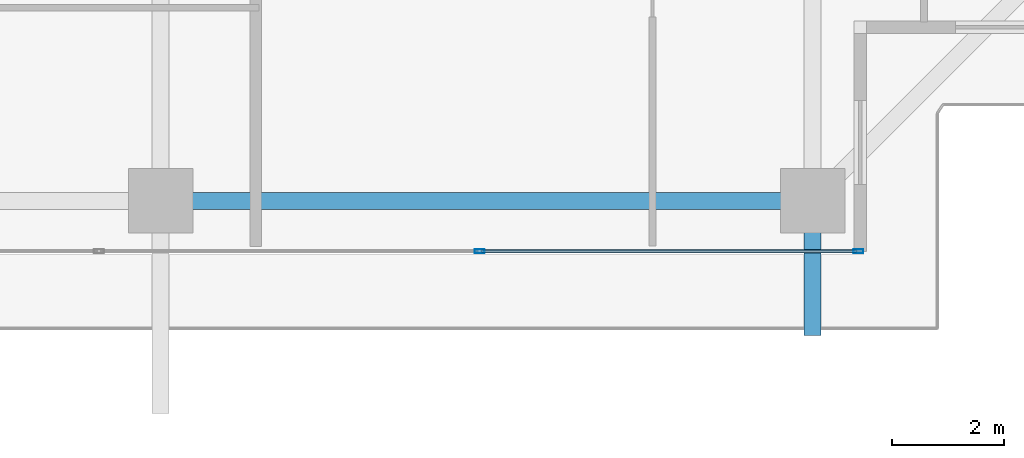
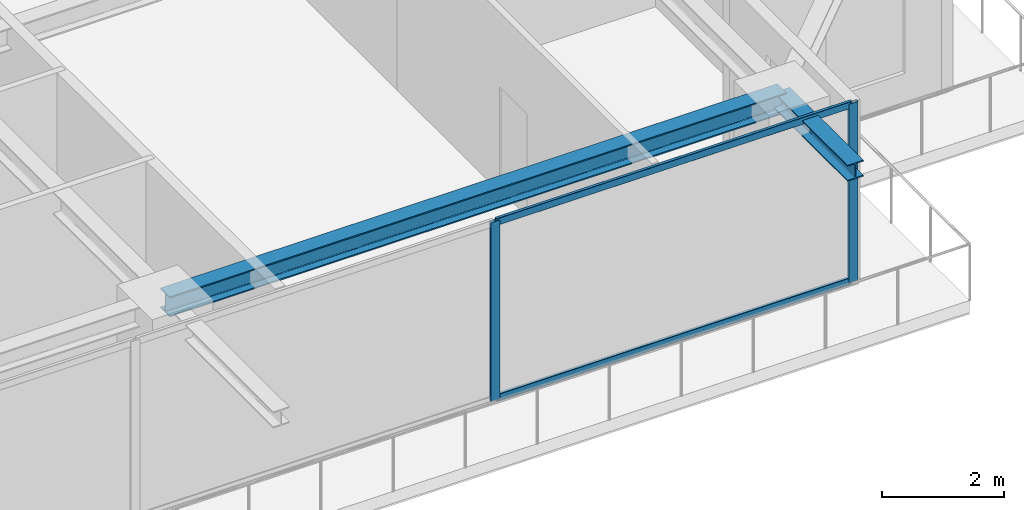
# One storey, part 12 of 38: 4 members, 2 beams, 1 element without a shape of its own.
"""IFC4 building model written with IfcOpenShell, lengths in metres."""

from ifc_helpers import new_model, si_unit, direction, frame, origin, origin_2d, place, context, subcontext, project, spatial, hollow_rectangle, i_section, extrude, source, transform, mapped, material, layer, layer_set, material_profile, profile_set, type_object, element, aggregate, save


model = new_model("IFC4")

# Units and contexts
model_context = context("Model", 3, precision=1e-05, world=origin(), true_north=direction((0.0, 1.0)))
body_context = subcontext(model_context, "Body", "Model", "MODEL_VIEW")
ifc_project = project(units=[si_unit("LENGTHUNIT", "METRE"), si_unit("AREAUNIT", "SQUARE_METRE"), si_unit("VOLUMEUNIT", "CUBIC_METRE"), si_unit("PLANEANGLEUNIT", "RADIAN"), si_unit("MASSUNIT", "GRAM", prefix="KILO")], contexts=[model_context])

# Site, building, storey
site_placement = place(None, origin())
site = spatial("IfcSite", under=ifc_project, at=site_placement, CompositionType="ELEMENT")
building_placement = place(site_placement, origin())
building = spatial("IfcBuilding", under=site, at=building_placement, Name="Serunith Strait Residences", CompositionType="ELEMENT")
storey_placement = place(building_placement, frame((0.0, 0.0, 268.199951171875)))
storey = spatial("IfcBuildingStorey", under=building, at=storey_placement, Name="L67", CompositionType="ELEMENT", Elevation=268.199951171875)

# Beams
ifc_material_1 = material(Name="Steel S355J2", Category="steel")
ifc_material_profile_1 = material_profile(ifc_material_1, i_section(OverallWidth=0.300048828125, OverallDepth=0.39990234375, WebThickness=0.013427734375, FlangeThickness=0.02392578125, FilletRadius=0.027099609375, at=origin_2d()), Name="HEB 400")
ifc_profile_set_1 = profile_set([ifc_material_profile_1], Name="Steel S355J2")
beam_type_1 = type_object("IfcBeamType", Name="BM-HEB400", PredefinedType="BEAM", material=ifc_profile_set_1)
shared_shape_1 = source(origin(), body_context, "Body", "SweptSolid", [
    extrude(i_section(OverallWidth=0.300048828125, OverallDepth=0.39990234375, WebThickness=0.013427734375, FlangeThickness=0.02392578125, FilletRadius=0.027099609375, at=origin_2d()), origin(), (0.0, 0.0, 1.0), 11.650146484375),
])
beam_1_placement = place(storey_placement, frame((36.89990234375, 2.10009765625, 3.386962890625), z_axis=(1.0, 0.0, 0.0), x_axis=(0.0, 1.0, 0.0)))
element("IfcBeam", 1, at=beam_1_placement, inside=storey, type_object=beam_type_1, Name="L67 Perimeter Ring Beam 03", PredefinedType="BEAM", context=body_context, shape_type="MappedRepresentation", body=[
    mapped(shared_shape_1, transform((0.0, 0.0, 0.0), scale=1.0)),
])
ifc_material_profile_2 = material_profile(ifc_material_1, i_section(OverallWidth=0.300048828125, OverallDepth=0.320068359375, WebThickness=0.011474609375, FlangeThickness=0.0205078125, FilletRadius=0.027099609375, at=origin_2d()), Name="HEB 320")
ifc_profile_set_2 = profile_set([ifc_material_profile_2], Name="Steel S355J2")
beam_type_2 = type_object("IfcBeamType", Name="BM-HEB320", PredefinedType="BEAM", material=ifc_profile_set_2)
shared_shape_2 = source(origin(), body_context, "Body", "SweptSolid", [
    extrude(i_section(OverallWidth=0.300048828125, OverallDepth=0.320068359375, WebThickness=0.011474609375, FlangeThickness=0.0205078125, FilletRadius=0.027099609375, at=origin_2d()), origin(), (0.0, 0.0, 1.0), 2.407470703125),
])
beam_2_placement = place(storey_placement, frame((48.550048828125, 2.10009765625, 3.39697265625), z_axis=(0.0, -1.0, 0.0), x_axis=(1.0, 0.0, 0.0)))
element("IfcBeam", 2, at=beam_2_placement, inside=storey, type_object=beam_type_2, Name="L68 Cantilevered Balcony Rib TC-S4", PredefinedType="BEAM", context=body_context, shape_type="MappedRepresentation", body=[
    mapped(shared_shape_2, transform((0.0, 0.0, 0.0), scale=1.0)),
])

# Curtain wall, members
ifc_material_2 = material(Name="Pale-Champagne Anodised Aluminium", Category="aluminium")
ifc_layer = layer(ifc_material_2, 0.199951171875, Name="Pale-Champagne Anodised Aluminium")
ifc_layer_set = layer_set([ifc_layer], Name="Pale-Champagne Anodised Aluminium")
curtain_wall_type = type_object("IfcCurtainWallType", Name="CW-SYS4", PredefinedType="NOTDEFINED", material=ifc_layer_set)
curtain_wall_placement = place(storey_placement, origin())
curtain_wall = element("IfcCurtainWall", 3, at=curtain_wall_placement, inside=storey, type_object=curtain_wall_type, Name="L67 S Unitised Fritted Curtain Wall", PredefinedType="NOTDEFINED")
ifc_material_profile_3 = material_profile(ifc_material_2, hollow_rectangle(XDim=0.06494140625, YDim=0.179931640625, WallThickness=0.00341796875, InnerFilletRadius=0.00537109375, OuterFilletRadius=0.0087890625, at=origin_2d()), Name="ALU 180x65x3.5")
ifc_profile_set_3 = profile_set([ifc_material_profile_3], Name="Pale-Champagne Anodised Aluminium")
member_type_1 = type_object("IfcMemberType", Name="CW-SYS4-MULL", PredefinedType="MULLION", material=ifc_profile_set_3)
shared_shape_3 = source(origin(), body_context, "Body", "SweptSolid", [
    extrude(hollow_rectangle(XDim=0.06494140625, YDim=0.179931640625, WallThickness=0.00341796875, InnerFilletRadius=0.00537109375, OuterFilletRadius=0.0087890625, at=origin_2d()), origin(), (0.0, 0.0, 1.0), 3.574951171875),
])
member_1_placement = place(storey_placement, frame((42.60009765625, 1.199951171875, 0.0), z_axis=(0.0, 0.0, 1.0), x_axis=(0.0, 1.0, 0.0)))
member_1 = element("IfcMember", 4, at=member_1_placement, type_object=member_type_1, Name="CW-4 mullion 5", PredefinedType="MULLION", context=body_context, shape_type="MappedRepresentation", body=[
    mapped(shared_shape_3, transform((0.0, 0.0, 0.0), scale=1.0)),
])
member_2_placement = place(storey_placement, frame((49.367431640625, 1.199951171875, 0.0), z_axis=(0.0, 0.0, 1.0), x_axis=(0.0, 1.0, 0.0)))
member_2 = element("IfcMember", 5, at=member_2_placement, type_object=member_type_1, Name="CW-4 mullion 6", PredefinedType="MULLION", context=body_context, shape_type="MappedRepresentation", body=[
    mapped(shared_shape_3, transform((0.0, 0.0, 0.0), scale=1.0)),
])
ifc_material_profile_4 = material_profile(ifc_material_2, hollow_rectangle(XDim=0.06005859375, YDim=0.139892578125, WallThickness=0.00341796875, InnerFilletRadius=0.00537109375, OuterFilletRadius=0.0087890625, at=origin_2d()), Name="ALU 140x60x3.5")
ifc_profile_set_4 = profile_set([ifc_material_profile_4], Name="Pale-Champagne Anodised Aluminium")
member_type_2 = type_object("IfcMemberType", Name="CW-SYS4-TRAN", PredefinedType="USERDEFINED", material=ifc_profile_set_4)
shared_shape_4 = source(origin(), body_context, "Body", "SweptSolid", [
    extrude(hollow_rectangle(XDim=0.06005859375, YDim=0.139892578125, WallThickness=0.00341796875, InnerFilletRadius=0.00537109375, OuterFilletRadius=0.0087890625, at=origin_2d()), origin(), (0.0, 0.0, 1.0), 6.702392578125),
])
member_3_placement = place(storey_placement, frame((42.632568359375, 1.199951171875, 0.030029296875), z_axis=(1.0, 0.0, 0.0), x_axis=(0.0, 1.0, 0.0)))
member_3 = element("IfcMember", 6, at=member_3_placement, type_object=member_type_2, Name="CW-4 transom 5.1", ObjectType="TRANSOM", PredefinedType="USERDEFINED", context=body_context, shape_type="MappedRepresentation", body=[
    mapped(shared_shape_4, transform((0.0, 0.0, 0.0), scale=1.0)),
])
member_4_placement = place(storey_placement, frame((42.632568359375, 1.199951171875, 3.545166015625), z_axis=(1.0, 0.0, 0.0), x_axis=(0.0, 1.0, 0.0)))
member_4 = element("IfcMember", 7, at=member_4_placement, type_object=member_type_2, Name="CW-4 transom 5.2", ObjectType="TRANSOM", PredefinedType="USERDEFINED", context=body_context, shape_type="MappedRepresentation", body=[
    mapped(shared_shape_4, transform((0.0, 0.0, 0.0), scale=1.0)),
])
aggregate(curtain_wall, [member_1, member_2, member_3, member_4])

save(model, "model.ifc")
